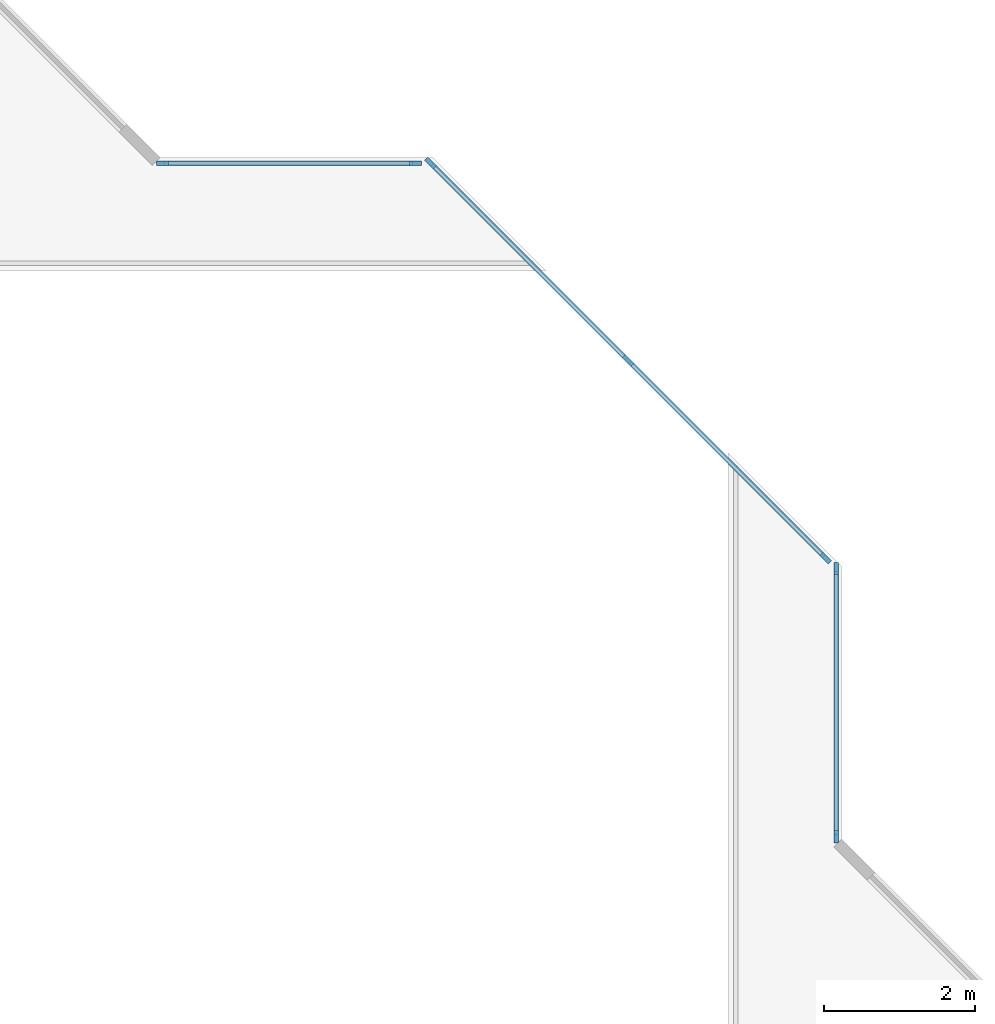
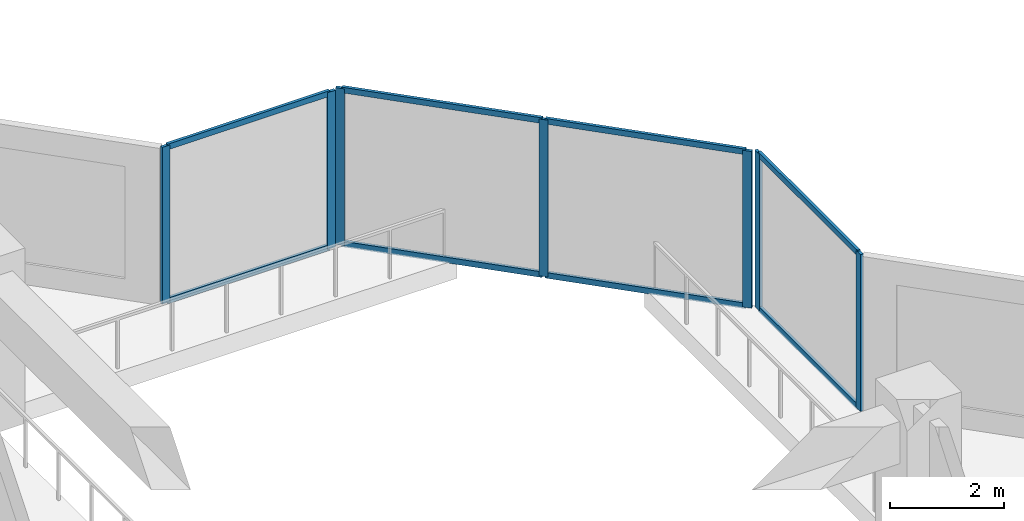
# One storey, part 2 of 15: 15 members, 3 elements without a shape of their own.
"""IFC4 building model written with IfcOpenShell, lengths in metres."""

from ifc_helpers import new_model, si_unit, direction, frame, origin, origin_2d, place, context, subcontext, project, spatial, rectangle, extrude, material, layer, layer_set, material_profile, profile_set, type_object, element, aggregate, save


model = new_model("IFC4")

# Units and contexts
model_context = context("Model", 3, precision=1e-05, world=origin(), true_north=direction((0.0, 1.0)))
body_context = subcontext(model_context, "Body", "Model", "MODEL_VIEW")
ifc_project = project(units=[si_unit("LENGTHUNIT", "METRE"), si_unit("AREAUNIT", "SQUARE_METRE"), si_unit("VOLUMEUNIT", "CUBIC_METRE"), si_unit("PLANEANGLEUNIT", "RADIAN"), si_unit("MASSUNIT", "GRAM", prefix="KILO")], contexts=[model_context])

# Site, building, storey
site_placement = place(None, origin())
site = spatial("IfcSite", under=ifc_project, at=site_placement, CompositionType="ELEMENT")
building_placement = place(site_placement, origin())
building = spatial("IfcBuilding", under=site, at=building_placement, Name="Chenar Terraces", CompositionType="ELEMENT")
storey_placement = place(building_placement, frame((0.0, 0.0, 67.64990234375)))
storey = spatial("IfcBuildingStorey", under=building, at=storey_placement, Name="L14", CompositionType="ELEMENT", Elevation=67.64990234375)

# Curtain wall, members
ifc_material_1 = material(Name="Aluminium framed glazing", Category="aluminium")
ifc_layer = layer(ifc_material_1, 0.14990234375)
ifc_layer_set = layer_set([ifc_layer], Name="Aluminium framed glazing")
curtain_wall_type = type_object("IfcCurtainWallType", Name="Atrium curtain wall", PredefinedType="NOTDEFINED", material=ifc_layer_set)
placement = place(storey_placement, origin())
curtain_wall_1 = element("IfcCurtainWall", 1, at=placement, inside=storey, type_object=curtain_wall_type, Name="Atrium curtain wall", PredefinedType="NOTDEFINED")
ifc_material_2 = material(Name="Aluminium", Category="aluminium")
ifc_material_profile_1 = material_profile(ifc_material_2, rectangle(XDim=0.06005859375, YDim=0.159912109375, at=origin_2d()), Name="Atrium glazing mullion 60 x 160")
ifc_profile_set_1 = profile_set([ifc_material_profile_1], Name="Aluminium")
member_type_1 = type_object("IfcMemberType", Name="Atrium glazing mullion 60 x 160", PredefinedType="MULLION", material=ifc_profile_set_1)
member_1_placement = place(storey_placement, frame((37.425048828125, 28.530029296875, 0.0), z_axis=(0.0, 0.0, 1.0), x_axis=(-1.0, 0.0, 0.0)))
member_1 = element("IfcMember", 2, at=member_1_placement, type_object=member_type_1, Name="CW1-1 mullion 1", PredefinedType="MULLION", context=body_context, shape_type="SweptSolid", body=[
    extrude(rectangle(XDim=0.06005859375, YDim=0.159912109375, at=origin_2d()), origin(), (0.0, 0.0, 1.0), 3.35009765625),
])
member_2_placement = place(storey_placement, frame((37.425048828125, 32.070068359375, 0.0), z_axis=(0.0, 0.0, 1.0), x_axis=(-1.0, 0.0, 0.0)))
member_2 = element("IfcMember", 3, at=member_2_placement, type_object=member_type_1, Name="CW1-1 mullion 2", PredefinedType="MULLION", context=body_context, shape_type="SweptSolid", body=[
    extrude(rectangle(XDim=0.06005859375, YDim=0.159912109375, at=origin_2d()), origin(), (0.0, 0.0, 1.0), 3.35009765625),
])

curtain_wall_2 = element("IfcCurtainWall", 4, at=placement, inside=storey, type_object=curtain_wall_type, Name="Atrium curtain wall", PredefinedType="NOTDEFINED")
member_3_placement = place(storey_placement, frame((37.284423828125, 32.209716796875, 0.0), z_axis=(0.0, 0.0, 1.0), x_axis=(-0.707106781187, -0.707106781187, 0.0)))
member_3 = element("IfcMember", 5, at=member_3_placement, type_object=member_type_1, Name="CW1-2 mullion 1", PredefinedType="MULLION", context=body_context, shape_type="SweptSolid", body=[
    extrude(rectangle(XDim=0.06005859375, YDim=0.159912109375, at=origin_2d()), origin(), (0.0, 0.0, 1.0), 3.35009765625),
])
member_4_placement = place(storey_placement, frame((34.67626953125, 34.817626953125, 0.0), z_axis=(0.0, 0.0, 1.0), x_axis=(-0.707106781187, -0.707106781187, 0.0)))
member_4 = element("IfcMember", 6, at=member_4_placement, type_object=member_type_1, Name="CW1-2 mullion 2", PredefinedType="MULLION", context=body_context, shape_type="SweptSolid", body=[
    extrude(rectangle(XDim=0.06005859375, YDim=0.159912109375, at=origin_2d()), origin(), (0.0, 0.0, 1.0), 3.35009765625),
])
member_5_placement = place(storey_placement, frame((32.068115234375, 37.42578125, 0.0), z_axis=(0.0, 0.0, 1.0), x_axis=(-0.707106781187, -0.707106781187, 0.0)))
member_5 = element("IfcMember", 7, at=member_5_placement, type_object=member_type_1, Name="CW1-2 mullion 3", PredefinedType="MULLION", context=body_context, shape_type="SweptSolid", body=[
    extrude(rectangle(XDim=0.06005859375, YDim=0.159912109375, at=origin_2d()), origin(), (0.0, 0.0, 1.0), 3.35009765625),
])

curtain_wall_3 = element("IfcCurtainWall", 8, at=placement, inside=storey, type_object=curtain_wall_type, Name="Atrium curtain wall", PredefinedType="NOTDEFINED")
member_6_placement = place(storey_placement, frame((31.8701171875, 37.425048828125, 0.0), z_axis=(0.0, 0.0, 1.0), x_axis=(0.0, -1.0, 0.0)))
member_6 = element("IfcMember", 9, at=member_6_placement, type_object=member_type_1, Name="CW1-3 mullion 1", PredefinedType="MULLION", context=body_context, shape_type="SweptSolid", body=[
    extrude(rectangle(XDim=0.06005859375, YDim=0.159912109375, at=origin_2d()), origin(), (0.0, 0.0, 1.0), 3.35009765625),
])
member_7_placement = place(storey_placement, frame((28.530029296875, 37.425048828125, 0.0), z_axis=(0.0, 0.0, 1.0), x_axis=(0.0, -1.0, 0.0)))
member_7 = element("IfcMember", 10, at=member_7_placement, type_object=member_type_1, Name="CW1-3 mullion 2", PredefinedType="MULLION", context=body_context, shape_type="SweptSolid", body=[
    extrude(rectangle(XDim=0.06005859375, YDim=0.159912109375, at=origin_2d()), origin(), (0.0, 0.0, 1.0), 3.35009765625),
])

# Member
ifc_material_3 = material(Name="Aluminium", Category="aluminium")
ifc_material_profile_2 = material_profile(ifc_material_3, rectangle(XDim=0.06005859375, YDim=0.1201171875, at=origin_2d()), Name="Atrium glazing transom 60 x 120")
ifc_profile_set_2 = profile_set([ifc_material_profile_2], Name="Aluminium")
member_type_2 = type_object("IfcMemberType", Name="Atrium glazing transom 60 x 120", PredefinedType="USERDEFINED", material=ifc_profile_set_2)
member_8_placement = place(storey_placement, frame((37.425048828125, 28.56005859375, 0.030029296875), z_axis=(0.0, 1.0, 0.0), x_axis=(-1.0, 0.0, 0.0)))
member_8 = element("IfcMember", 11, at=member_8_placement, type_object=member_type_2, Name="CW1-1 transom 1.1", ObjectType="TRANSOM", PredefinedType="USERDEFINED", context=body_context, shape_type="SweptSolid", body=[
    extrude(rectangle(XDim=0.06005859375, YDim=0.1201171875, at=origin_2d()), origin(), (0.0, 0.0, 1.0), 3.47998046875),
])

member_9_placement = place(storey_placement, frame((37.425048828125, 28.56005859375, 3.320068359375), z_axis=(0.0, 1.0, 0.0), x_axis=(-1.0, 0.0, 0.0)))
member_9 = element("IfcMember", 12, at=member_9_placement, type_object=member_type_2, Name="CW1-1 transom 1.2", ObjectType="TRANSOM", PredefinedType="USERDEFINED", context=body_context, shape_type="SweptSolid", body=[
    extrude(rectangle(XDim=0.06005859375, YDim=0.1201171875, at=origin_2d()), origin(), (0.0, 0.0, 1.0), 3.47998046875),
])

aggregate(curtain_wall_1, [member_1, member_2, member_8, member_9])

member_10_placement = place(storey_placement, frame((37.26318359375, 32.230712890625, 0.030029296875), z_axis=(-0.707106781187, 0.707106781187, 0.0), x_axis=(-0.707106781187, -0.707106781187, 0.0)))
member_10 = element("IfcMember", 13, at=member_10_placement, type_object=member_type_2, Name="CW1-2 transom 1.1", ObjectType="TRANSOM", PredefinedType="USERDEFINED", context=body_context, shape_type="SweptSolid", body=[
    extrude(rectangle(XDim=0.06005859375, YDim=0.1201171875, at=origin_2d()), origin(), (0.0, 0.0, 1.0), 3.62841796875),
])

member_11_placement = place(storey_placement, frame((37.26318359375, 32.230712890625, 3.320068359375), z_axis=(-0.707106781187, 0.707106781187, 0.0), x_axis=(-0.707106781187, -0.707106781187, 0.0)))
member_11 = element("IfcMember", 14, at=member_11_placement, type_object=member_type_2, Name="CW1-2 transom 1.2", ObjectType="TRANSOM", PredefinedType="USERDEFINED", context=body_context, shape_type="SweptSolid", body=[
    extrude(rectangle(XDim=0.06005859375, YDim=0.1201171875, at=origin_2d()), origin(), (0.0, 0.0, 1.0), 3.62841796875),
])

member_12_placement = place(storey_placement, frame((34.655029296875, 34.8388671875, 0.030029296875), z_axis=(-0.707106781187, 0.707106781187, 0.0), x_axis=(-0.707106781187, -0.707106781187, 0.0)))
member_12 = element("IfcMember", 15, at=member_12_placement, type_object=member_type_2, Name="CW1-2 transom 2.1", ObjectType="TRANSOM", PredefinedType="USERDEFINED", context=body_context, shape_type="SweptSolid", body=[
    extrude(rectangle(XDim=0.06005859375, YDim=0.1201171875, at=origin_2d()), origin(), (0.0, 0.0, 1.0), 3.62841796875),
])

member_13_placement = place(storey_placement, frame((34.655029296875, 34.8388671875, 3.320068359375), z_axis=(-0.707106781187, 0.707106781187, 0.0), x_axis=(-0.707106781187, -0.707106781187, 0.0)))
member_13 = element("IfcMember", 16, at=member_13_placement, type_object=member_type_2, Name="CW1-2 transom 2.2", ObjectType="TRANSOM", PredefinedType="USERDEFINED", context=body_context, shape_type="SweptSolid", body=[
    extrude(rectangle(XDim=0.06005859375, YDim=0.1201171875, at=origin_2d()), origin(), (0.0, 0.0, 1.0), 3.62841796875),
])

aggregate(curtain_wall_2, [member_3, member_4, member_5, member_10, member_11, member_12, member_13])

member_14_placement = place(storey_placement, frame((31.840087890625, 37.425048828125, 0.030029296875), z_axis=(-1.0, 0.0, 0.0), x_axis=(0.0, -1.0, 0.0)))
member_14 = element("IfcMember", 17, at=member_14_placement, type_object=member_type_2, Name="CW1-3 transom 1.1", ObjectType="TRANSOM", PredefinedType="USERDEFINED", context=body_context, shape_type="SweptSolid", body=[
    extrude(rectangle(XDim=0.06005859375, YDim=0.1201171875, at=origin_2d()), origin(), (0.0, 0.0, 1.0), 3.280029296875),
])

member_15_placement = place(storey_placement, frame((31.840087890625, 37.425048828125, 3.320068359375), z_axis=(-1.0, 0.0, 0.0), x_axis=(0.0, -1.0, 0.0)))
member_15 = element("IfcMember", 18, at=member_15_placement, type_object=member_type_2, Name="CW1-3 transom 1.2", ObjectType="TRANSOM", PredefinedType="USERDEFINED", context=body_context, shape_type="SweptSolid", body=[
    extrude(rectangle(XDim=0.06005859375, YDim=0.1201171875, at=origin_2d()), origin(), (0.0, 0.0, 1.0), 3.280029296875),
])

aggregate(curtain_wall_3, [member_6, member_7, member_14, member_15])

save(model, "model.ifc")
